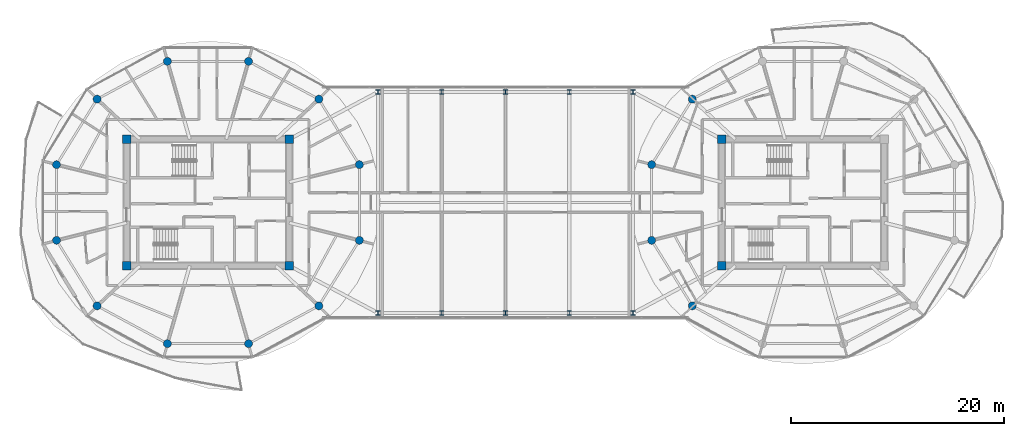
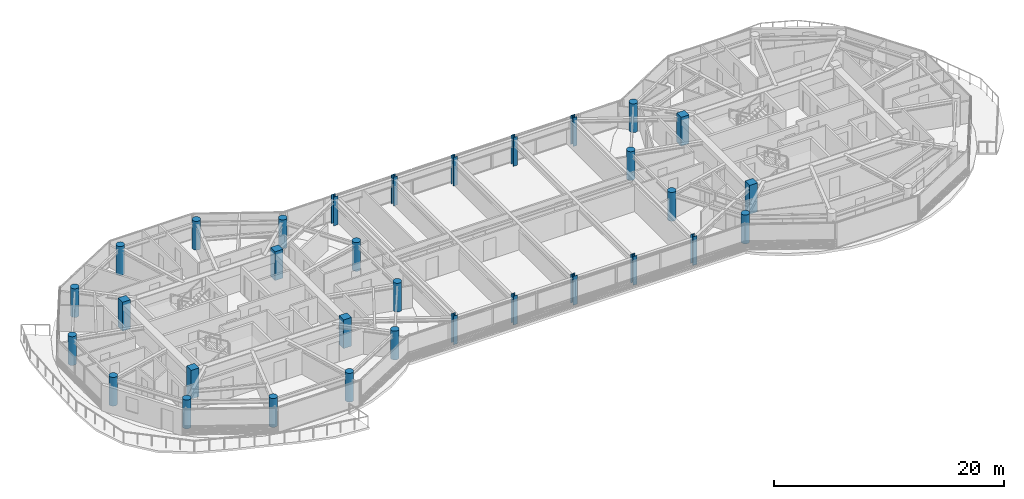
# One storey, part 1 of 23: 32 columns.
"""IFC4 building model written with IfcOpenShell, lengths in metres."""

import ifcopenshell
import ifcopenshell.guid

model = None  # the IFC model being written
_history = None  # IfcOwnerHistory: only IFC2X3 demands one
_inside = {}  # id of a spatial element -> (the spatial element, [elements in it])
_under = {}  # id of a project, library or spatial element -> (it, [spatial elements below it])
_declared = {}  # id of a project -> (the project, [libraries it declares])
_typed = {}  # id of a type object -> (the type object, [elements of that type])
_made_of = {}  # id of a material, layer set ... -> (it, [elements and type objects made of it])


def new_model(schema):
    """Start an empty IFC model of exactly this schema.

    Asked for "IFC4X3", IfcOpenShell would pick the latest addendum, in which some entities
    have other attributes; the version numbers below select the first issue.
    IFC2X3 requires an IfcOwnerHistory on every rooted entity: one is made here for all.
    """
    global model, _history
    if schema == "IFC4X3":
        model = ifcopenshell.file(schema_version=(4, 3, 0, 0))
    else:
        model = ifcopenshell.file(schema=schema)
    _inside.clear()
    _under.clear()
    _declared.clear()
    _typed.clear()
    _made_of.clear()
    _history = None
    if model.schema == "IFC2X3":
        org = make("IfcOrganization", Name="unknown")
        user = make(
            "IfcPersonAndOrganization",
            ThePerson=make("IfcPerson", FamilyName="unknown"),
            TheOrganization=org,
        )
        app = make(
            "IfcApplication",
            ApplicationDeveloper=org,
            Version="unknown",
            ApplicationFullName="unknown",
            ApplicationIdentifier="unknown",
        )
        _history = make(
            "IfcOwnerHistory",
            OwningUser=user,
            OwningApplication=app,
            ChangeAction="ADDED",
            CreationDate=0,
        )
    return model


def make(cls, **values):
    """One entity of the class cls with the attributes given. An attribute that is None is left unset."""
    return model.create_entity(
        cls, **{name: value for name, value in values.items() if value is not None}
    )


def rooted(cls, **values):
    """An entity with a GlobalId (a new one), such as an element, a storey or a relation."""
    return make(cls, GlobalId=ifcopenshell.guid.new(), OwnerHistory=_history, **values)


def si_unit(unit_type, name, prefix=None):
    """IfcSIUnit, for example si_unit("LENGTHUNIT", "METRE", prefix="MILLI")."""
    return make("IfcSIUnit", UnitType=unit_type, Prefix=prefix, Name=name)


def assignment(units):
    """IfcUnitAssignment: the units of a project."""
    return None if units is None else make("IfcUnitAssignment", Units=units)


def point(xyz):
    """IfcCartesianPoint."""
    return None if xyz is None else make("IfcCartesianPoint", Coordinates=xyz)


def direction(xyz):
    """IfcDirection."""
    return None if xyz is None else make("IfcDirection", DirectionRatios=xyz)


def frame(location, z_axis=None, x_axis=None):
    """IfcAxis2Placement3D, a coordinate frame: its origin and axes. An axis left out is left unset."""
    return make(
        "IfcAxis2Placement3D",
        Location=point(location),
        Axis=direction(z_axis),
        RefDirection=direction(x_axis),
    )


def frame_2d(location, x_axis=None):
    """IfcAxis2Placement2D, a coordinate frame in the plane: its origin and x axis."""
    return make(
        "IfcAxis2Placement2D", Location=point(location), RefDirection=direction(x_axis)
    )


def origin():
    """The frame at (0, 0, 0) with its axes left unset."""
    return frame((0.0, 0.0, 0.0))


def origin_2d():
    """The frame at (0, 0) in the plane with its x axis left unset."""
    return frame_2d((0.0, 0.0))


def place(relative_to, where):
    """IfcLocalPlacement: puts the frame where relative to a parent placement (None: the world)."""
    return make(
        "IfcLocalPlacement", PlacementRelTo=relative_to, RelativePlacement=where
    )


def context(
    kind, dimensions, precision=None, world=None, true_north=None, identifier=None
):
    """IfcGeometricRepresentationContext, for example the 3D "Model" context."""
    return make(
        "IfcGeometricRepresentationContext",
        ContextIdentifier=identifier,
        ContextType=kind,
        CoordinateSpaceDimension=dimensions,
        Precision=precision,
        WorldCoordinateSystem=world,
        TrueNorth=true_north,
    )


def subcontext(parent, identifier, kind, view, scale=None):
    """IfcGeometricRepresentationSubContext, for example "Body" below "Model"."""
    return make(
        "IfcGeometricRepresentationSubContext",
        ContextIdentifier=identifier,
        ContextType=kind,
        ParentContext=parent,
        TargetScale=scale,
        TargetView=view,
    )


def project(units=None, contexts=None):
    """IfcProject with its units and contexts."""
    return rooted(
        "IfcProject",
        Name="project",
        RepresentationContexts=contexts,
        UnitsInContext=assignment(units),
    )


def spatial(cls, under=None, at=None, **own):
    """A site, building, storey or space (cls), placed at a placement, below another one or the project."""
    s = rooted(cls, ObjectPlacement=at, **own)
    if under is not None:
        _under.setdefault(under.id(), (under, []))[1].append(s)
    return s


def profile(cls, at=None, kind="AREA", **sizes):
    """A parametric profile (cls). Its sizes go by their IFC names, for example OverallWidth=200.0."""
    return make(cls, ProfileType=kind, Position=at, **sizes)


def rectangle(**sizes):
    """IfcRectangleProfileDef."""
    return profile("IfcRectangleProfileDef", **sizes)


def circle(**sizes):
    """IfcCircleProfileDef."""
    return profile("IfcCircleProfileDef", **sizes)


def i_section(**sizes):
    """IfcIShapeProfileDef."""
    return profile("IfcIShapeProfileDef", **sizes)


def extrude(swept, where, along, depth):
    """IfcExtrudedAreaSolid: the profile swept, set in the frame where, extruded along a direction by depth."""
    return make(
        "IfcExtrudedAreaSolid",
        SweptArea=swept,
        Position=where,
        ExtrudedDirection=direction(along),
        Depth=depth,
    )


def shape(context_of_items, identifier, shape_type, items):
    """IfcShapeRepresentation: the items that make up one representation, for example the "Body"."""
    return make(
        "IfcShapeRepresentation",
        ContextOfItems=context_of_items,
        RepresentationIdentifier=identifier,
        RepresentationType=shape_type,
        Items=items,
    )


def source(mapping_origin, context_of_items, identifier, shape_type, items):
    """IfcRepresentationMap: a shape defined once, which mapped items show again and again."""
    return make(
        "IfcRepresentationMap",
        MappingOrigin=mapping_origin,
        MappedRepresentation=shape(context_of_items, identifier, shape_type, items),
    )


def transform(
    local_origin,
    x_axis=None,
    y_axis=None,
    z_axis=None,
    scale=None,
    scale2=None,
    scale3=None,
    uniform=True,
):
    """IfcCartesianTransformationOperator3D, or its non-uniform kind. x_axis, y_axis, z_axis: its Axis1, 2, 3."""
    if uniform:
        return make(
            "IfcCartesianTransformationOperator3D",
            Axis1=direction(x_axis),
            Axis2=direction(y_axis),
            LocalOrigin=point(local_origin),
            Scale=scale,
            Axis3=direction(z_axis),
        )
    return make(
        "IfcCartesianTransformationOperator3DnonUniform",
        Axis1=direction(x_axis),
        Axis2=direction(y_axis),
        LocalOrigin=point(local_origin),
        Scale=scale,
        Axis3=direction(z_axis),
        Scale2=scale2,
        Scale3=scale3,
    )


def mapped(mapping_source, mapping_target):
    """IfcMappedItem: shows the shape of a source again, moved by a transform."""
    return make(
        "IfcMappedItem", MappingSource=mapping_source, MappingTarget=mapping_target
    )


def material(Name=None, Category=None):
    """IfcMaterial."""
    return make("IfcMaterial", Name=Name, Category=Category)


def material_profile(
    of_material, cross_section, Name=None, Category=None, Priority=None
):
    """IfcMaterialProfile: a cross section and its material."""
    return make(
        "IfcMaterialProfile",
        Name=Name,
        Material=of_material,
        Profile=cross_section,
        Priority=Priority,
        Category=Category,
    )


def profile_set(profiles, Name=None, composite=None):
    """IfcMaterialProfileSet."""
    return make(
        "IfcMaterialProfileSet",
        Name=Name,
        MaterialProfiles=profiles,
        CompositeProfile=composite,
    )


def made_of(thing, what):
    """Note that an element or type object is made of a material, layer set ...; save() writes the relation."""
    if what is not None:
        _made_of.setdefault(what.id(), (what, []))[1].append(thing)
    return thing


def type_object(cls, material=None, **own):
    """A type object (cls), such as IfcWallType, which elements share."""
    return made_of(rooted(cls, **own), material)


def type_shapes(of_type, sources):
    """Give a type object the sources (RepresentationMaps) that its elements show as mapped items."""
    of_type.RepresentationMaps = sources


def element(
    cls,
    number,
    at=None,
    inside=None,
    cuts=None,
    type_object=None,
    material=None,
    context=None,
    identifier="Body",
    shape_type=None,
    held_by="IfcProductDefinitionShape",
    body=None,
    shapes=None,
    **own,
):
    """One element of the class cls, such as IfcWall. Its Tag is "e" and its number.

    at: its placement. inside: the storey or other place that contains it. cuts: it is an
    opening in that element (IfcRelVoidsElement). A single representation is given by context,
    identifier, shape_type and body (its items); several are given by shapes. held_by: the class
    of the entity that holds the representations. save() writes the other relations.
    """
    e = rooted(cls, Tag="e%d" % number, ObjectPlacement=at, **own)
    if body is not None:
        shapes = [shape(context, identifier, shape_type, body)]
    if shapes is not None:
        e.Representation = make(held_by, Representations=shapes)
    if inside is not None:
        _inside.setdefault(inside.id(), (inside, []))[1].append(e)
    if cuts is not None:
        rooted(
            "IfcRelVoidsElement", RelatingBuildingElement=cuts, RelatedOpeningElement=e
        )
    if type_object is not None:
        _typed.setdefault(type_object.id(), (type_object, []))[1].append(e)
    return made_of(e, material)


def aggregate(whole, parts):
    """IfcRelAggregates: a whole, such as a stair, and the parts it consists of."""
    return rooted("IfcRelAggregates", RelatingObject=whole, RelatedObjects=parts)


def save(model, path):
    """Write the relations noted so far, then the file.

    IfcRelAggregates (storeys below a building ...), IfcRelContainedInSpatialStructure (elements
    in a storey), IfcRelDefinesByType, IfcRelAssociatesMaterial and IfcRelDeclares: one each for
    every whole, place, type object, material and project.
    """
    for whole, parts in _under.values():
        aggregate(whole, parts)
    for where, things in _inside.values():
        rooted(
            "IfcRelContainedInSpatialStructure",
            RelatedElements=things,
            RelatingStructure=where,
        )
    for kind, things in _typed.values():
        rooted("IfcRelDefinesByType", RelatedObjects=things, RelatingType=kind)
    for what, things in _made_of.values():
        rooted("IfcRelAssociatesMaterial", RelatedObjects=things, RelatingMaterial=what)
    for by, libraries in _declared.values():
        rooted("IfcRelDeclares", RelatingContext=by, RelatedDefinitions=libraries)
    model.write(path)


model = new_model("IFC4")

# Units and contexts
model_context = context("Model", 3, precision=1e-05, world=origin(), true_north=direction((0.0, 1.0)))
body_context = subcontext(model_context, "Body", "Model", "MODEL_VIEW")
ifc_project = project(units=[si_unit("LENGTHUNIT", "METRE"), si_unit("AREAUNIT", "SQUARE_METRE"), si_unit("VOLUMEUNIT", "CUBIC_METRE"), si_unit("PLANEANGLEUNIT", "RADIAN"), si_unit("MASSUNIT", "GRAM", prefix="KILO")], contexts=[model_context])

# Site, building, storey
site_placement = place(None, origin())
site = spatial("IfcSite", under=ifc_project, at=site_placement, CompositionType="ELEMENT")
building_placement = place(site_placement, origin())
building = spatial("IfcBuilding", under=site, at=building_placement, Name="Norrkilde Senior Care Towers", CompositionType="ELEMENT")
storey_placement = place(building_placement, frame((0.0, 0.0, 216.949951171875)))
storey = spatial("IfcBuildingStorey", under=building, at=storey_placement, Name="L67", CompositionType="ELEMENT", Elevation=216.949951171875)

# Columns
ifc_material_1 = material(Name="Concrete C60/75", Category="concrete")
ifc_material_profile_1 = material_profile(ifc_material_1, rectangle(XDim=0.800048828125, YDim=0.800048828125, at=origin_2d()), Name="RC COL 800x800")
ifc_profile_set_1 = profile_set([ifc_material_profile_1], Name="Concrete C60/75")
column_type_1 = type_object("IfcColumnType", Name="Column Core Corner Z3-Z4 800", PredefinedType="COLUMN", material=ifc_profile_set_1)
shared_shape_1 = source(origin(), body_context, "Body", "SweptSolid", [
    extrude(rectangle(XDim=0.800048828125, YDim=0.800048828125, at=origin_2d()), origin(), (0.0, 0.0, 1.0), 3.050048828125),
])
type_shapes(column_type_1, [shared_shape_1])
for number, where, z_axis, x_axis, name in (
    (1, (-35.64990234375, -5.949951171875, 0.0), (0.0, 0.0, 1.0), (1.0, 0.0, 0.0), "L67 Core W Corner Column 1"),
    (2, (-20.35009765625, -5.949951171875, 0.0), (0.0, 0.0, 1.0), (1.0, 0.0, 0.0), "L67 Core W Corner Column 2"),
    (3, (-20.35009765625, 5.949951171875, 0.0), (0.0, 0.0, 1.0), (1.0, 0.0, 0.0), "L67 Core W Corner Column 3"),
    (4, (-35.64990234375, 5.949951171875, 0.0), (0.0, 0.0, 1.0), (1.0, 0.0, 0.0), "L67 Core W Corner Column 4"),
    (5, (20.35009765625, -5.949951171875, 0.0), (0.0, 0.0, 1.0), (1.0, 0.0, 0.0), "L67 Core E Corner Column 1"),
    (6, (20.35009765625, 5.949951171875, 0.0), (0.0, 0.0, 1.0), (1.0, 0.0, 0.0), "L67 Core E Corner Column 4"),
):
    element("IfcColumn", number, at=place(storey_placement, frame(where, z_axis=z_axis, x_axis=x_axis)), inside=storey, type_object=column_type_1, Name=name, PredefinedType="COLUMN", context=body_context, shape_type="MappedRepresentation", body=[
        mapped(shared_shape_1, transform((0.0, 0.0, 0.0), x_axis=(1.0, 0.0, 0.0), y_axis=(0.0, 1.0, 0.0), z_axis=(0.0, 0.0, 1.0), scale=1.0)),
    ])
ifc_material_2 = material(Name="Concrete C50/60", Category="concrete")
ifc_material_profile_2 = material_profile(ifc_material_2, circle(Radius=0.375, at=origin_2d()), Name="RC CIR 750")
ifc_profile_set_2 = profile_set([ifc_material_profile_2], Name="Concrete C50/60")
column_type_2 = type_object("IfcColumnType", Name="Column Perimeter Z4 750", PredefinedType="COLUMN", material=ifc_profile_set_2)
shared_shape_2 = source(origin(), body_context, "Body", "SweptSolid", [
    extrude(circle(Radius=0.375, at=origin_2d()), origin(), (0.0, 0.0, 1.0), 3.050048828125),
])
type_shapes(column_type_2, [shared_shape_2])
for number, where, z_axis, x_axis, name in (
    (7, (-13.752685546875, 3.558837890625, 0.0), (0.0, 0.0, 1.0), (1.0, 0.0, 0.0), "L67 Drum W Perimeter Column 01"),
    (8, (-17.570068359375, 9.72265625, 0.0), (0.0, 0.0, 1.0), (1.0, 0.0, 0.0), "L67 Drum W Perimeter Column 02"),
    (9, (-24.182373046875, 13.281494140625, 0.0), (0.0, 0.0, 1.0), (1.0, 0.0, 0.0), "L67 Drum W Perimeter Column 03"),
    (10, (-31.817626953125, 13.281494140625, 0.0), (0.0, 0.0, 1.0), (1.0, 0.0, 0.0), "L67 Drum W Perimeter Column 04"),
    (11, (-38.429931640625, 9.72265625, 0.0), (0.0, 0.0, 1.0), (1.0, 0.0, 0.0), "L67 Drum W Perimeter Column 05"),
    (12, (-42.247314453125, 3.558837890625, 0.0), (0.0, 0.0, 1.0), (1.0, 0.0, 0.0), "L67 Drum W Perimeter Column 06"),
    (13, (-42.247314453125, -3.558837890625, 0.0), (0.0, 0.0, 1.0), (1.0, 0.0, 0.0), "L67 Drum W Perimeter Column 07"),
    (14, (-38.429931640625, -9.72265625, 0.0), (0.0, 0.0, 1.0), (1.0, 0.0, 0.0), "L67 Drum W Perimeter Column 08"),
    (15, (-31.817626953125, -13.281494140625, 0.0), (0.0, 0.0, 1.0), (1.0, 0.0, 0.0), "L67 Drum W Perimeter Column 09"),
    (16, (-24.182373046875, -13.281494140625, 0.0), (0.0, 0.0, 1.0), (1.0, 0.0, 0.0), "L67 Drum W Perimeter Column 10"),
    (17, (-17.570068359375, -9.72265625, 0.0), (0.0, 0.0, 1.0), (1.0, 0.0, 0.0), "L67 Drum W Perimeter Column 11"),
    (18, (-13.752685546875, -3.558837890625, 0.0), (0.0, 0.0, 1.0), (1.0, 0.0, 0.0), "L67 Drum W Perimeter Column 12"),
    (19, (17.570068359375, 9.72265625, 0.0), (0.0, 0.0, 1.0), (1.0, 0.0, 0.0), "L67 Drum E Perimeter Column 05"),
    (20, (13.752685546875, 3.558837890625, 0.0), (0.0, 0.0, 1.0), (1.0, 0.0, 0.0), "L67 Drum E Perimeter Column 06"),
    (21, (13.752685546875, -3.558837890625, 0.0), (0.0, 0.0, 1.0), (1.0, 0.0, 0.0), "L67 Drum E Perimeter Column 07"),
    (22, (17.570068359375, -9.72265625, 0.0), (0.0, 0.0, 1.0), (1.0, 0.0, 0.0), "L67 Drum E Perimeter Column 08"),
):
    element("IfcColumn", number, at=place(storey_placement, frame(where, z_axis=z_axis, x_axis=x_axis)), inside=storey, type_object=column_type_2, Name=name, PredefinedType="COLUMN", context=body_context, shape_type="MappedRepresentation", body=[
        mapped(shared_shape_2, transform((0.0, 0.0, 0.0), x_axis=(1.0, 0.0, 0.0), y_axis=(0.0, 1.0, 0.0), z_axis=(0.0, 0.0, 1.0), scale=1.0)),
    ])
ifc_material_3 = material(Name="Steel S355", Category="steel")
ifc_material_profile_3 = material_profile(ifc_material_3, i_section(OverallWidth=0.406982421875, OverallDepth=0.43505859375, WebThickness=0.02392578125, FlangeThickness=0.0390625, FilletRadius=0.014892578125, at=origin_2d()), Name="HD 400x421")
ifc_profile_set_3 = profile_set([ifc_material_profile_3], Name="Steel S355")
column_type_3 = type_object("IfcColumnType", Name="Column Bridge Frame HD400", PredefinedType="COLUMN", material=ifc_profile_set_3)
shared_shape_3 = source(origin(), body_context, "Body", "SweptSolid", [
    extrude(i_section(OverallWidth=0.406982421875, OverallDepth=0.43505859375, WebThickness=0.02392578125, FlangeThickness=0.0390625, FilletRadius=0.014892578125, at=origin_2d()), origin(), (0.0, 0.0, 1.0), 3.050048828125),
])
type_shapes(column_type_3, [shared_shape_3])
for number, where, z_axis, x_axis, name in (
    (23, (-12.0, -10.39990234375, 0.0), (0.0, 0.0, 1.0), (1.0, 0.0, 0.0), "L67 Sky-Gate Bridge Column -12.1"),
    (24, (-12.0, 10.39990234375, 0.0), (0.0, 0.0, 1.0), (1.0, 0.0, 0.0), "L67 Sky-Gate Bridge Column -12.2"),
    (25, (-6.0, -10.39990234375, 0.0), (0.0, 0.0, 1.0), (1.0, 0.0, 0.0), "L67 Sky-Gate Bridge Column -6.1"),
    (26, (-6.0, 10.39990234375, 0.0), (0.0, 0.0, 1.0), (1.0, 0.0, 0.0), "L67 Sky-Gate Bridge Column -6.2"),
    (27, (0.0, -10.39990234375, 0.0), (0.0, 0.0, 1.0), (1.0, 0.0, 0.0), "L67 Sky-Gate Bridge Column +0.1"),
    (28, (0.0, 10.39990234375, 0.0), (0.0, 0.0, 1.0), (1.0, 0.0, 0.0), "L67 Sky-Gate Bridge Column +0.2"),
    (29, (6.0, -10.39990234375, 0.0), (0.0, 0.0, 1.0), (1.0, 0.0, 0.0), "L67 Sky-Gate Bridge Column +6.1"),
    (30, (6.0, 10.39990234375, 0.0), (0.0, 0.0, 1.0), (1.0, 0.0, 0.0), "L67 Sky-Gate Bridge Column +6.2"),
    (31, (12.0, -10.39990234375, 0.0), (0.0, 0.0, 1.0), (1.0, 0.0, 0.0), "L67 Sky-Gate Bridge Column +12.1"),
    (32, (12.0, 10.39990234375, 0.0), (0.0, 0.0, 1.0), (1.0, 0.0, 0.0), "L67 Sky-Gate Bridge Column +12.2"),
):
    element("IfcColumn", number, at=place(storey_placement, frame(where, z_axis=z_axis, x_axis=x_axis)), inside=storey, type_object=column_type_3, Name=name, PredefinedType="COLUMN", context=body_context, shape_type="MappedRepresentation", body=[
        mapped(shared_shape_3, transform((0.0, 0.0, 0.0), x_axis=(1.0, 0.0, 0.0), y_axis=(0.0, 1.0, 0.0), z_axis=(0.0, 0.0, 1.0), scale=1.0)),
    ])

save(model, "model.ifc")
